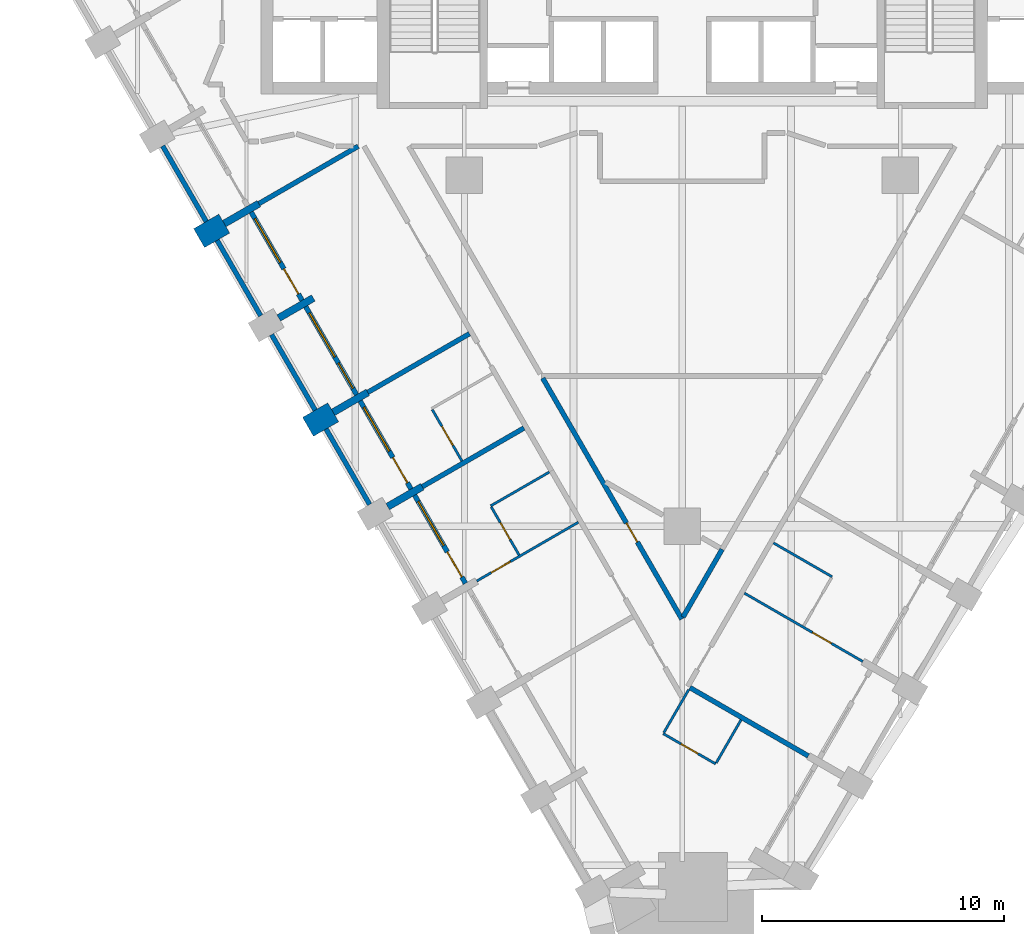
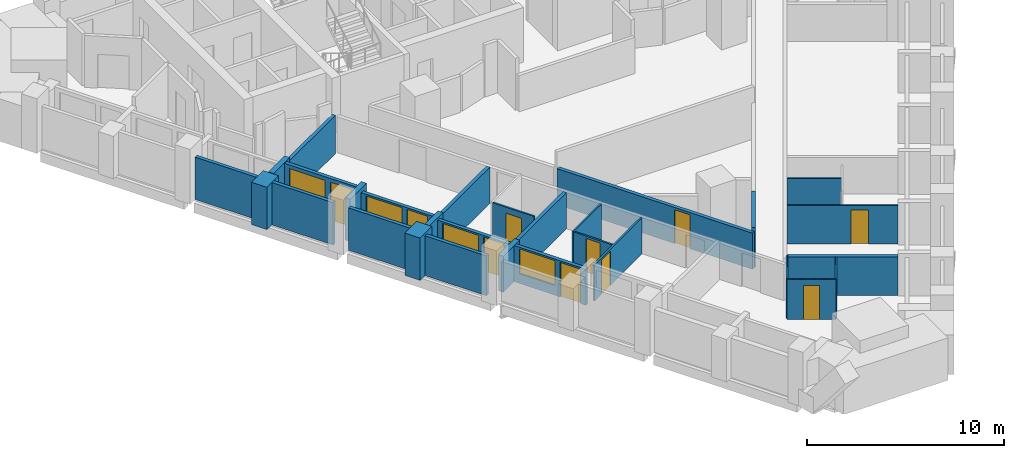
# One storey, part 3 of 11: 29 walls, 10 doors, 4 windows, 14 openings.
"""IFC4 building model written with IfcOpenShell, lengths in metres."""

from ifc_helpers import new_model, si_unit, direction, frame, frame_2d, origin, place, context, subcontext, project, spatial, rectangle, extrude, material, layer, layer_set, type_object, element, fill, save


model = new_model("IFC4")

# Units and contexts
model_context = context("Model", 3, precision=1e-05, world=origin(), true_north=direction((0.0, 1.0)))
body_context = subcontext(model_context, "Body", "Model", "MODEL_VIEW")
ifc_project = project(units=[si_unit("LENGTHUNIT", "METRE"), si_unit("AREAUNIT", "SQUARE_METRE"), si_unit("VOLUMEUNIT", "CUBIC_METRE"), si_unit("PLANEANGLEUNIT", "RADIAN"), si_unit("MASSUNIT", "GRAM", prefix="KILO")], contexts=[model_context])

# Site, building, storey
site_placement = place(None, origin())
site = spatial("IfcSite", under=ifc_project, at=site_placement, CompositionType="ELEMENT")
building_placement = place(site_placement, origin())
building = spatial("IfcBuilding", under=site, at=building_placement, Name="Calabash Gate Tower", CompositionType="ELEMENT")
storey_placement = place(building_placement, frame((0.0, 0.0, 129.199951171875)))
storey = spatial("IfcBuildingStorey", under=building, at=storey_placement, Name="L30", CompositionType="ELEMENT", Elevation=129.199951171875)

# Walls
ifc_material_1 = material(Name="Terracotta brick masonry, exposed face", Category="masonry")
ifc_layer_1 = layer(ifc_material_1, 1.199951171875)
ifc_layer_set_1 = layer_set([ifc_layer_1], Name="Brick end wall 1200")
wall_type_1 = type_object("IfcWallType", Name="Brick end wall 1200", PredefinedType="SOLIDWALL", material=ifc_layer_set_1)
wall_1_placement = place(storey_placement, frame((-19.957763671875, -0.096923828125, 0.0), z_axis=(0.0, 0.0, 1.0), x_axis=(0.865955154139, 0.50012165622, 0.0)))
element("IfcWall", 1, at=wall_1_placement, inside=storey, type_object=wall_type_1, Name="Brick pier S08 SW0.3", PredefinedType="SOLIDWALL", context=body_context, shape_type="SweptSolid", body=[
    extrude(rectangle(XDim=1.199951171875, YDim=0.89990234375, at=frame_2d((0.60009765625, 0.0))), origin(), (0.0, 0.0, 1.0), 2.630126953125),
])
wall_2_placement = place(storey_placement, frame((-15.457763671875, -7.89111328125, 0.0), z_axis=(0.0, 0.0, 1.0), x_axis=(0.866043267704, 0.499969057507, 0.0)))
element("IfcWall", 2, at=wall_2_placement, inside=storey, type_object=wall_type_1, Name="Brick pier S08 SW0.5", PredefinedType="SOLIDWALL", context=body_context, shape_type="SweptSolid", body=[
    extrude(rectangle(XDim=1.19970703125, YDim=0.89990234375, at=frame_2d((0.599853515625, 0.0))), origin(), (0.0, 0.0, 1.0), 2.630126953125),
])
ifc_material_2 = material(Name="Terracotta brick masonry, exposed face", Category="masonry")
ifc_layer_2 = layer(ifc_material_2, 0.300048828125)
ifc_layer_set_2 = layer_set([ifc_layer_2], Name="Brick loggia cheek wall 300")
wall_type_2 = type_object("IfcWallType", Name="Brick loggia cheek wall 300", PredefinedType="SOLIDWALL", material=ifc_layer_set_2)
wall_3_placement = place(storey_placement, frame((-18.918701171875, 0.503173828125, 0.0), z_axis=(0.0, 0.0, 1.0), x_axis=(0.866040211805, 0.499974350878, 0.0)))
element("IfcWall", 3, at=wall_3_placement, inside=storey, type_object=wall_type_2, Name="Loggia cheek S08 SW0.3", PredefinedType="SOLIDWALL", context=body_context, shape_type="SweptSolid", body=[
    extrude(rectangle(XDim=1.64990234375, YDim=0.300048828125, at=frame_2d((0.824951171875, 0.0))), origin(), (0.0, 0.0, 1.0), 2.650146484375),
])
wall_4_placement = place(storey_placement, frame((-16.66845703125, -3.39404296875, 0.0), z_axis=(0.0, 0.0, 1.0), x_axis=(0.866003217194, 0.500038426333, 0.0)))
element("IfcWall", 4, at=wall_4_placement, inside=storey, type_object=wall_type_2, Name="Loggia cheek S08 SW0.4", PredefinedType="SOLIDWALL", context=body_context, shape_type="SweptSolid", body=[
    extrude(rectangle(XDim=1.649658203125, YDim=0.300048828125, at=frame_2d((0.82470703125, 0.0))), origin(), (0.0, 0.0, 1.0), 2.6279296875),
])
wall_5_placement = place(storey_placement, frame((-14.418701171875, -7.291259765625, 0.0), z_axis=(0.0, 0.0, 1.0), x_axis=(0.865976140824, 0.500085316245, 0.0)))
element("IfcWall", 5, at=wall_5_placement, inside=storey, type_object=wall_type_2, Name="Loggia cheek S08 SW0.5", PredefinedType="SOLIDWALL", context=body_context, shape_type="SweptSolid", body=[
    extrude(rectangle(XDim=1.650146484375, YDim=0.300048828125, at=frame_2d((0.8251953125, 0.0))), origin(), (0.0, 0.0, 1.0), 2.384033203125),
])
wall_6_placement = place(storey_placement, frame((-12.168212890625, -11.188232421875, 0.0), z_axis=(0.0, 0.0, 1.0), x_axis=(0.865966208357, 0.500102515474, 0.0)))
element("IfcWall", 6, at=wall_6_placement, inside=storey, type_object=wall_type_2, Name="Loggia cheek S08 SW0.6", PredefinedType="SOLIDWALL", context=body_context, shape_type="SweptSolid", body=[
    extrude(rectangle(XDim=1.649658203125, YDim=0.300048828125, at=frame_2d((0.82470703125, 0.0))), origin(), (0.0, 0.0, 1.0), 2.24169921875),
])
ifc_material_3 = material(Name="Gypsum board on steel studs, mineral wool", Category="steel")
ifc_layer_3 = layer(ifc_material_3, 0.10009765625)
ifc_layer_set_3 = layer_set([ifc_layer_3], Name="Partition 100 gypsum board")
wall_type_3 = type_object("IfcWallType", Name="Partition 100 gypsum board", PredefinedType="PARTITIONING", material=ifc_layer_set_3)
wall_7_placement = place(storey_placement, frame((1.4052734375, -21.77197265625, 0.0), z_axis=(0.0, 0.0, 1.0), x_axis=(0.499265284884, 0.866449176415, 0.0)))
element("IfcWall", 7, at=wall_7_placement, inside=storey, type_object=wall_type_3, Name="Partition", PredefinedType="PARTITIONING", context=body_context, shape_type="SweptSolid", body=[
    extrude(rectangle(XDim=2.0498046875, YDim=0.10009765625, at=frame_2d((1.02490234375, 0.0))), origin(), (0.0, 0.0, 1.0), 2.384033203125),
])

# Wall, opening, door
wall_8_placement = place(storey_placement, frame((-0.784912109375, -20.565185546875, 0.0), z_axis=(0.0, 0.0, 1.0), x_axis=(0.866022959057, -0.500004234368, 0.0)))
wall_8 = element("IfcWall", 8, at=wall_8_placement, inside=storey, type_object=wall_type_3, Name="Partition", PredefinedType="PARTITIONING", context=body_context, shape_type="SweptSolid", body=[
    extrude(rectangle(XDim=2.5, YDim=0.10009765625, at=frame_2d((1.25, 0.0))), origin(), (0.0, 0.0, 1.0), 2.4736328125),
])
opening_1_placement = place(wall_8_placement, frame((0.85009765625, 0.0, 0.0)))
opening_1 = element("IfcOpeningElement", 9, at=opening_1_placement, cuts=wall_8, Name="Opening 28-30-015", PredefinedType="OPENING", context=body_context, shape_type="SweptSolid", body=[
    extrude(rectangle(XDim=0.800048828125, YDim=2.10009765625, at=frame_2d((0.39990234375, 1.050048828125))), frame((0.0, 0.06005859375, 0.0), z_axis=(0.0, -1.0, 0.0), x_axis=(1.0, 0.0, 0.0)), (0.0, 0.0, 1.0), 0.1201171875),
])
ifc_material_4 = material(Name="Painted timber door", Category="wood")
door_type_1 = type_object("IfcDoorType", Name="GD5 En-suite door 800x2100", OperationType="NOTDEFINED", PredefinedType="DOOR", material=ifc_material_4)
door_1_placement = place(opening_1_placement, origin())
door_1 = element("IfcDoor", 10, at=door_1_placement, inside=storey, type_object=door_type_1, Name="En-suite door", OperationType="SINGLE_SWING_LEFT", OverallHeight=2.10009765625, OverallWidth=0.800048828125, PredefinedType="DOOR", context=body_context, shape_type="SweptSolid", body=[
    extrude(rectangle(XDim=0.800048828125, YDim=2.10009765625, at=frame_2d((0.39990234375, 1.050048828125))), frame((0.0, 0.02490234375, 0.0), z_axis=(0.0, -1.0, 0.0), x_axis=(1.0, 0.0, 0.0)), (0.0, 0.0, 1.0), 0.050048828125),
])
fill(opening_1, door_1)

# Wall
wall_9_placement = place(storey_placement, frame((-0.759765625, -20.52197265625, 0.0), z_axis=(0.0, 0.0, 1.0), x_axis=(0.500646589026, 0.865651773461, 0.0)))
element("IfcWall", 11, at=wall_9_placement, inside=storey, type_object=wall_type_3, Name="Partition", PredefinedType="PARTITIONING", context=body_context, shape_type="SweptSolid", body=[
    extrude(rectangle(XDim=2.050048828125, YDim=0.10009765625, at=frame_2d((1.02490234375, 0.0))), origin(), (0.0, 0.0, 1.0), 2.4736328125),
])

# Wall, opening, door
wall_10_placement = place(storey_placement, frame((2.566162109375, -14.760498046875, 0.0), z_axis=(0.0, 0.0, 1.0), x_axis=(0.866019355129, -0.500010476433, 0.0)))
wall_10 = element("IfcWall", 12, at=wall_10_placement, inside=storey, type_object=wall_type_3, Name="Partition", PredefinedType="PARTITIONING", context=body_context, shape_type="SweptSolid", body=[
    extrude(rectangle(XDim=5.64990234375, YDim=0.10009765625, at=frame_2d((2.824951171875, 0.0))), origin(), (0.0, 0.0, 1.0), 2.384033203125),
])
opening_2_placement = place(wall_10_placement, frame((3.249755859375, 0.0, 0.0)))
opening_2 = element("IfcOpeningElement", 13, at=opening_2_placement, cuts=wall_10, Name="Opening 28-30-008", PredefinedType="OPENING", context=body_context, shape_type="SweptSolid", body=[
    extrude(rectangle(XDim=0.89990234375, YDim=2.10009765625, at=frame_2d((0.449951171875, 1.050048828125))), frame((0.0, 0.06005859375, 0.0), z_axis=(0.0, -1.0, 0.0), x_axis=(1.0, 0.0, 0.0)), (0.0, 0.0, 1.0), 0.1201171875),
])
ifc_material_5 = material(Name="Painted timber door", Category="wood")
door_type_2 = type_object("IfcDoorType", Name="GD7 Suite room door 900x2100", OperationType="NOTDEFINED", PredefinedType="DOOR", material=ifc_material_5)
door_2_placement = place(opening_2_placement, origin())
door_2 = element("IfcDoor", 14, at=door_2_placement, inside=storey, type_object=door_type_2, Name="Suite room door", OperationType="SINGLE_SWING_RIGHT", OverallHeight=2.10009765625, OverallWidth=0.89990234375, PredefinedType="DOOR", context=body_context, shape_type="SweptSolid", body=[
    extrude(rectangle(XDim=0.89990234375, YDim=2.10009765625, at=frame_2d((0.449951171875, 1.050048828125))), frame((0.0, 0.02490234375, 0.0), z_axis=(0.0, -1.0, 0.0), x_axis=(1.0, 0.0, 0.0)), (0.0, 0.0, 1.0), 0.050048828125),
])
fill(opening_2, door_2)

wall_11_placement = place(storey_placement, frame((-8.48974609375, -14.26025390625, 0.0), z_axis=(0.0, 0.0, 1.0), x_axis=(0.86557903767, 0.500772333047, 0.0)))
wall_11 = element("IfcWall", 15, at=wall_11_placement, inside=storey, type_object=wall_type_3, Name="Partition", PredefinedType="PARTITIONING", context=body_context, shape_type="SweptSolid", body=[
    extrude(rectangle(XDim=4.849853515625, YDim=0.10009765625, at=frame_2d((2.4248046875, 0.0))), origin(), (0.0, 0.0, 1.0), 2.24169921875),
])
opening_3_placement = place(wall_11_placement, frame((0.699951171875, 0.0, 0.0)))
opening_3 = element("IfcOpeningElement", 16, at=opening_3_placement, cuts=wall_11, Name="Opening 28-30-005", PredefinedType="OPENING", context=body_context, shape_type="SweptSolid", body=[
    extrude(rectangle(XDim=0.89990234375, YDim=2.10009765625, at=frame_2d((0.449951171875, 1.050048828125))), frame((0.0, 0.06005859375, 0.0), z_axis=(0.0, -1.0, 0.0), x_axis=(1.0, 0.0, 0.0)), (0.0, 0.0, 1.0), 0.1201171875),
])
door_3_placement = place(opening_3_placement, origin())
door_3 = element("IfcDoor", 17, at=door_3_placement, inside=storey, type_object=door_type_2, Name="Suite room door", OperationType="SINGLE_SWING_LEFT", OverallHeight=2.10009765625, OverallWidth=0.89990234375, PredefinedType="DOOR", context=body_context, shape_type="SweptSolid", body=[
    extrude(rectangle(XDim=0.89990234375, YDim=2.10009765625, at=frame_2d((0.449951171875, 1.050048828125))), frame((0.0, 0.02490234375, 0.0), z_axis=(0.0, -1.0, 0.0), x_axis=(1.0, 0.0, 0.0)), (0.0, 0.0, 1.0), 0.050048828125),
])
fill(opening_3, door_3)

# Wall
wall_12_placement = place(storey_placement, frame((3.764404296875, -12.685302734375, 0.0), z_axis=(0.0, 0.0, 1.0), x_axis=(0.866326367614, -0.499478352661, 0.0)))
element("IfcWall", 18, at=wall_12_placement, inside=storey, type_object=wall_type_3, Name="Partition", PredefinedType="PARTITIONING", context=body_context, shape_type="SweptSolid", body=[
    extrude(rectangle(XDim=2.7998046875, YDim=0.10009765625, at=frame_2d((1.39990234375, 0.0))), origin(), (0.0, 0.0, 1.0), 2.384033203125),
])

# Wall, opening, door
wall_13_placement = place(storey_placement, frame((-7.889404296875, -11.2001953125, 0.0), z_axis=(0.0, 0.0, 1.0), x_axis=(0.500697021662, -0.865622603967, 0.0)))
wall_13 = element("IfcWall", 19, at=wall_13_placement, inside=storey, type_object=wall_type_3, Name="Partition", PredefinedType="PARTITIONING", context=body_context, shape_type="SweptSolid", body=[
    extrude(rectangle(XDim=2.298095703125, YDim=0.10009765625, at=frame_2d((1.14892578125, 0.0))), origin(), (0.0, 0.0, 1.0), 2.24169921875),
])
opening_4_placement = place(wall_13_placement, frame((0.75, 0.0, 0.0)))
opening_4 = element("IfcOpeningElement", 20, at=opening_4_placement, cuts=wall_13, Name="Opening 28-30-006", PredefinedType="OPENING", context=body_context, shape_type="SweptSolid", body=[
    extrude(rectangle(XDim=0.800048828125, YDim=2.10009765625, at=frame_2d((0.39990234375, 1.050048828125))), frame((0.0, 0.06005859375, 0.0), z_axis=(0.0, -1.0, 0.0), x_axis=(1.0, 0.0, 0.0)), (0.0, 0.0, 1.0), 0.1201171875),
])
door_4_placement = place(opening_4_placement, origin())
door_4 = element("IfcDoor", 21, at=door_4_placement, inside=storey, type_object=door_type_1, Name="En-suite door", OperationType="SINGLE_SWING_LEFT", OverallHeight=2.10009765625, OverallWidth=0.800048828125, PredefinedType="DOOR", context=body_context, shape_type="SweptSolid", body=[
    extrude(rectangle(XDim=0.800048828125, YDim=2.10009765625, at=frame_2d((0.39990234375, 1.050048828125))), frame((0.0, 0.02490234375, 0.0), z_axis=(0.0, -1.0, 0.0), x_axis=(1.0, 0.0, 0.0)), (0.0, 0.0, 1.0), 0.050048828125),
])
fill(opening_4, door_4)

# Wall
wall_14_placement = place(storey_placement, frame((-7.914306640625, -11.156982421875, 0.0), z_axis=(0.0, 0.0, 1.0), x_axis=(0.866288634608, 0.499543793424, 0.0)))
element("IfcWall", 22, at=wall_14_placement, inside=storey, type_object=wall_type_3, Name="Partition", PredefinedType="PARTITIONING", context=body_context, shape_type="SweptSolid", body=[
    extrude(rectangle(XDim=2.7998046875, YDim=0.10009765625, at=frame_2d((1.39990234375, 0.0))), origin(), (0.0, 0.0, 1.0), 2.24169921875),
])

# Wall, opening, door
wall_15_placement = place(storey_placement, frame((-10.325927734375, -7.179931640625, 0.0), z_axis=(0.0, 0.0, 1.0), x_axis=(0.500018594424, -0.866014668023, 0.0)))
wall_15 = element("IfcWall", 23, at=wall_15_placement, inside=storey, type_object=wall_type_3, Name="Partition", PredefinedType="PARTITIONING", context=body_context, shape_type="SweptSolid", body=[
    extrude(rectangle(XDim=2.4501953125, YDim=0.10009765625, at=frame_2d((1.22509765625, 0.0))), origin(), (0.0, 0.0, 1.0), 2.4736328125),
])
opening_5_placement = place(wall_15_placement, frame((0.800048828125, 0.0, 0.0)))
opening_5 = element("IfcOpeningElement", 24, at=opening_5_placement, cuts=wall_15, Name="Opening 28-30-003", PredefinedType="OPENING", context=body_context, shape_type="SweptSolid", body=[
    extrude(rectangle(XDim=0.89990234375, YDim=2.10009765625, at=frame_2d((0.449951171875, 1.050048828125))), frame((0.0, 0.06005859375, 0.0), z_axis=(0.0, -1.0, 0.0), x_axis=(1.0, 0.0, 0.0)), (0.0, 0.0, 1.0), 0.1201171875),
])
ifc_material_6 = material(Name="Painted timber door", Category="wood")
door_type_3 = type_object("IfcDoorType", Name="GD6 Accessible en-suite door 900x2100", OperationType="NOTDEFINED", PredefinedType="DOOR", material=ifc_material_6)
door_5_placement = place(opening_5_placement, origin())
door_5 = element("IfcDoor", 25, at=door_5_placement, inside=storey, type_object=door_type_3, Name="Accessible en-suite door", OperationType="SINGLE_SWING_LEFT", OverallHeight=2.10009765625, OverallWidth=0.89990234375, PredefinedType="DOOR", context=body_context, shape_type="SweptSolid", body=[
    extrude(rectangle(XDim=0.89990234375, YDim=2.10009765625, at=frame_2d((0.449951171875, 1.050048828125))), frame((0.0, 0.02490234375, 0.0), z_axis=(0.0, -1.0, 0.0), x_axis=(1.0, 0.0, 0.0)), (0.0, 0.0, 1.0), 0.050048828125),
])
fill(opening_5, door_5)

# Walls
ifc_material_7 = material(Name="Gypsum board on steel studs, mineral wool", Category="steel")
ifc_layer_4 = layer(ifc_material_7, 0.199951171875)
ifc_layer_set_4 = layer_set([ifc_layer_4], Name="Partition 200 gypsum board EI 60")
wall_type_4 = type_object("IfcWallType", Name="Partition 200 gypsum board EI 60", PredefinedType="PARTITIONING", material=ifc_layer_set_4)
wall_16_placement = place(storey_placement, frame((0.314453125, -18.661376953125, 0.0), z_axis=(0.0, 0.0, 1.0), x_axis=(0.866027263711, -0.4999967785, 0.0)))
element("IfcWall", 26, at=wall_16_placement, inside=storey, type_object=wall_type_4, Name="Partition", PredefinedType="PARTITIONING", context=body_context, shape_type="SweptSolid", body=[
    extrude(rectangle(XDim=5.6494140625, YDim=0.199951171875, at=frame_2d((2.82470703125, 0.0))), origin(), (0.0, 0.0, 1.0), 2.384033203125),
])
wall_17_placement = place(storey_placement, frame((0.03271484375, -15.747802734375, 0.0), z_axis=(0.0, 0.0, 1.0), x_axis=(0.50002566634, 0.866010584809, 0.0)))
element("IfcWall", 27, at=wall_17_placement, inside=storey, type_object=wall_type_4, Name="Partition", PredefinedType="PARTITIONING", context=body_context, shape_type="SweptSolid", body=[
    extrude(rectangle(XDim=3.229248046875, YDim=0.199951171875, at=frame_2d((1.61474609375, 0.0))), origin(), (0.0, 0.0, 1.0), 2.4736328125),
])
wall_18_placement = place(storey_placement, frame((-10.739501953125, -10.36328125, 0.0), z_axis=(0.0, 0.0, 1.0), x_axis=(0.866231677814, 0.499642552583, 0.0)))
element("IfcWall", 28, at=wall_18_placement, inside=storey, type_object=wall_type_4, Name="Partition", PredefinedType="PARTITIONING", context=body_context, shape_type="SweptSolid", body=[
    extrude(rectangle(XDim=4.849609375, YDim=0.199951171875, at=frame_2d((2.4248046875, 0.0))), origin(), (0.0, 0.0, 1.0), 2.24169921875),
])

# Wall, opening, door
wall_19_placement = place(storey_placement, frame((-5.7626953125, -5.8798828125, 0.0), z_axis=(0.0, 0.0, 1.0), x_axis=(0.500006842847, -0.866021453029, 0.0)))
wall_19 = element("IfcWall", 29, at=wall_19_placement, inside=storey, type_object=wall_type_4, Name="Partition", PredefinedType="PARTITIONING", context=body_context, shape_type="SweptSolid", body=[
    extrude(rectangle(XDim=11.493408203125, YDim=0.199951171875, at=frame_2d((5.74658203125, 0.0))), origin(), (0.0, 0.0, 1.0), 2.24169921875),
])
opening_6_placement = place(wall_19_placement, frame((6.914306640625, 0.0, 0.0)))
opening_6 = element("IfcOpeningElement", 30, at=opening_6_placement, cuts=wall_19, Name="Opening 28-30-012", PredefinedType="OPENING", context=body_context, shape_type="SweptSolid", body=[
    extrude(rectangle(XDim=0.89990234375, YDim=2.10009765625, at=frame_2d((0.449951171875, 1.050048828125))), frame((0.0, 0.10986328125, 0.0), z_axis=(0.0, -1.0, 0.0), x_axis=(1.0, 0.0, 0.0)), (0.0, 0.0, 1.0), 0.219970703125),
])
ifc_material_8 = material(Name="Steel fire door set with fire-resisting glazing", Category="steel")
door_type_4 = type_object("IfcDoorType", Name="SD3 Store door 900x2100", OperationType="NOTDEFINED", PredefinedType="DOOR", material=ifc_material_8)
door_6_placement = place(opening_6_placement, origin())
door_6 = element("IfcDoor", 31, at=door_6_placement, inside=storey, type_object=door_type_4, Name="Store door", OperationType="SINGLE_SWING_RIGHT", OverallHeight=2.10009765625, OverallWidth=0.89990234375, PredefinedType="DOOR", context=body_context, shape_type="SweptSolid", body=[
    extrude(rectangle(XDim=0.89990234375, YDim=2.10009765625, at=frame_2d((0.449951171875, 1.050048828125))), frame((0.0, 0.02490234375, 0.0), z_axis=(0.0, -1.0, 0.0), x_axis=(1.0, 0.0, 0.0)), (0.0, 0.0, 1.0), 0.050048828125),
])
fill(opening_6, door_6)

# Walls
wall_20_placement = place(storey_placement, frame((-12.989501953125, -6.46630859375, 0.0), z_axis=(0.0, 0.0, 1.0), x_axis=(0.866209889287, 0.49968032551, 0.0)))
element("IfcWall", 32, at=wall_20_placement, inside=storey, type_object=wall_type_4, Name="Partition", PredefinedType="PARTITIONING", context=body_context, shape_type="SweptSolid", body=[
    extrude(rectangle(XDim=4.849853515625, YDim=0.199951171875, at=frame_2d((2.4248046875, 0.0))), origin(), (0.0, 0.0, 1.0), 2.24169921875),
])
wall_21_placement = place(storey_placement, frame((-17.489990234375, 1.32861328125, 0.0), z_axis=(0.0, 0.0, 1.0), x_axis=(0.865884411482, 0.500244126355, 0.0)))
element("IfcWall", 33, at=wall_21_placement, inside=storey, type_object=wall_type_4, Name="Partition", PredefinedType="PARTITIONING", context=body_context, shape_type="SweptSolid", body=[
    extrude(rectangle(XDim=4.739501953125, YDim=0.199951171875, at=frame_2d((2.36962890625, 0.0))), origin(), (0.0, 0.0, 1.0), 2.384033203125),
])
ifc_material_9 = material(Name="Terracotta brick masonry, perforated", Category="masonry")
ifc_layer_5 = layer(ifc_material_9, 0.199951171875)
ifc_layer_set_5 = layer_set([ifc_layer_5], Name="Terracotta jaali screen B")
wall_type_5 = type_object("IfcWallType", Name="Terracotta jaali screen B", PredefinedType="SOLIDWALL", material=ifc_layer_set_5)
wall_22_placement = place(storey_placement, frame((-21.463134765625, 3.71044921875, 0.0), z_axis=(0.0, 0.0, 1.0), x_axis=(0.500012057535, -0.866018442252, 0.0)))
element("IfcWall", 34, at=wall_22_placement, inside=storey, type_object=wall_type_5, Name="SCREEN B S08 SW0.3", PredefinedType="SOLIDWALL", context=body_context, shape_type="SweptSolid", body=[
    extrude(rectangle(XDim=3.60009765625, YDim=0.199951171875, at=frame_2d((1.800048828125, 0.0))), origin(), (0.0, 0.0, 1.0), 2.630126953125),
])
wall_23_placement = place(storey_placement, frame((-19.213134765625, -0.1865234375, 0.0), z_axis=(0.0, 0.0, 1.0), x_axis=(0.499982693035, -0.866035395735, 0.0)))
element("IfcWall", 35, at=wall_23_placement, inside=storey, type_object=wall_type_5, Name="SCREEN B S08 SW0.4", PredefinedType="SOLIDWALL", context=body_context, shape_type="SweptSolid", body=[
    extrude(rectangle(XDim=3.600341796875, YDim=0.199951171875, at=frame_2d((1.80029296875, 0.0))), origin(), (0.0, 0.0, 1.0), 2.630126953125),
])
wall_24_placement = place(storey_placement, frame((-16.963134765625, -4.083740234375, 0.0), z_axis=(0.0, 0.0, 1.0), x_axis=(0.500012057535, -0.866018442252, 0.0)))
element("IfcWall", 36, at=wall_24_placement, inside=storey, type_object=wall_type_5, Name="SCREEN B S08 SW0.5", PredefinedType="SOLIDWALL", context=body_context, shape_type="SweptSolid", body=[
    extrude(rectangle(XDim=3.60009765625, YDim=0.199951171875, at=frame_2d((1.800048828125, 0.0))), origin(), (0.0, 0.0, 1.0), 2.630126953125),
])
wall_25_placement = place(storey_placement, frame((-14.713134765625, -7.98095703125, 0.0), z_axis=(0.0, 0.0, 1.0), x_axis=(0.500012057535, -0.866018442252, 0.0)))
element("IfcWall", 37, at=wall_25_placement, inside=storey, type_object=wall_type_5, Name="SCREEN B S08 SW0.6", PredefinedType="SOLIDWALL", context=body_context, shape_type="SweptSolid", body=[
    extrude(rectangle(XDim=3.60009765625, YDim=0.199951171875, at=frame_2d((1.800048828125, 0.0))), origin(), (0.0, 0.0, 1.0), 2.4736328125),
])

# Wall, openings, door, window
ifc_material_10 = material(Name="Aluminium framed window wall with insulated spandrel", Category="aluminium")
ifc_layer_6 = layer(ifc_material_10, 0.199951171875)
ifc_layer_set_6 = layer_set([ifc_layer_6], Name="Window wall 200")
wall_type_6 = type_object("IfcWallType", Name="Window wall 200", PredefinedType="ELEMENTEDWALL", material=ifc_layer_set_6)
wall_26_placement = place(storey_placement, frame((-17.804443359375, 0.97314453125, 0.0), z_axis=(0.0, 0.0, 1.0), x_axis=(0.500027713859, -0.866009402589, 0.0)))
wall_26 = element("IfcWall", 38, at=wall_26_placement, inside=storey, type_object=wall_type_6, Name="Window wall S08 SW0.4", PredefinedType="ELEMENTEDWALL", context=body_context, shape_type="SweptSolid", body=[
    extrude(rectangle(XDim=4.199951171875, YDim=0.199951171875, at=frame_2d((2.10009765625, 0.0))), origin(), (0.0, 0.0, 1.0), 2.6279296875),
])
opening_7_placement = place(wall_26_placement, frame((0.300048828125, 0.0, 0.60009765625)))
opening_7 = element("IfcOpeningElement", 39, at=opening_7_placement, cuts=wall_26, Name="Opening HW1", PredefinedType="OPENING", context=body_context, shape_type="SweptSolid", body=[
    extrude(rectangle(XDim=2.10009765625, YDim=1.800048828125, at=frame_2d((1.050048828125, 0.89990234375))), frame((0.0, 0.10986328125, 0.0), z_axis=(0.0, -1.0, 0.0), x_axis=(1.0, 0.0, 0.0)), (0.0, 0.0, 1.0), 0.219970703125),
])
opening_8_placement = place(wall_26_placement, frame((2.699951171875, 0.0, 0.0)))
opening_8 = element("IfcOpeningElement", 40, at=opening_8_placement, cuts=wall_26, Name="Opening H8-029", PredefinedType="OPENING", context=body_context, shape_type="SweptSolid", body=[
    extrude(rectangle(XDim=1.199951171875, YDim=2.39990234375, at=frame_2d((0.60009765625, 1.199951171875))), frame((0.0, 0.10986328125, 0.0), z_axis=(0.0, -1.0, 0.0), x_axis=(1.0, 0.0, 0.0)), (0.0, 0.0, 1.0), 0.219970703125),
])
ifc_material_11 = material(Name="Anodised aluminium frame, bronze finish, impact-rated laminated clear glazing", Category="aluminium")
door_type_5 = type_object("IfcDoorType", Name="Loggia door DH1 1200x2400", OperationType="SLIDING_TO_LEFT", PredefinedType="DOOR", material=ifc_material_11)
door_7_placement = place(opening_8_placement, origin())
door_7 = element("IfcDoor", 41, at=door_7_placement, inside=storey, type_object=door_type_5, Name="Loggia door S08 SW0.4", OperationType="SINGLE_SWING_LEFT", OverallHeight=2.39990234375, OverallWidth=1.199951171875, PredefinedType="DOOR", context=body_context, shape_type="SweptSolid", body=[
    extrude(rectangle(XDim=1.199951171875, YDim=2.39990234375, at=frame_2d((0.60009765625, 1.199951171875))), frame((0.0, 0.02490234375, 0.0), z_axis=(0.0, -1.0, 0.0), x_axis=(1.0, 0.0, 0.0)), (0.0, 0.0, 1.0), 0.050048828125),
])
fill(opening_8, door_7)
ifc_material_12 = material(Name="Anodised aluminium frame, bronze finish, impact-rated laminated clear glazing", Category="aluminium")
window_type_1 = type_object("IfcWindowType", Name="Window HW1 2100x1800", PartitioningType="DOUBLE_PANEL_VERTICAL", PredefinedType="WINDOW", material=ifc_material_12)
window_1_placement = place(opening_7_placement, origin())
window_1 = element("IfcWindow", 42, at=window_1_placement, inside=storey, type_object=window_type_1, Name="Window HW1 S08 SW0.4", OverallHeight=1.800048828125, OverallWidth=2.10009765625, PartitioningType="SINGLE_PANEL", PredefinedType="WINDOW", context=body_context, shape_type="SweptSolid", body=[
    extrude(rectangle(XDim=2.10009765625, YDim=1.800048828125, at=frame_2d((1.050048828125, 0.89990234375))), frame((0.0, 0.030029296875, 0.0), z_axis=(0.0, -1.0, 0.0), x_axis=(1.0, 0.0, 0.0)), (0.0, 0.0, 1.0), 0.06005859375),
])
fill(opening_7, window_1)

wall_27_placement = place(storey_placement, frame((-15.554443359375, -2.923828125, 0.0), z_axis=(0.0, 0.0, 1.0), x_axis=(0.500002543286, -0.866023935413, 0.0)))
wall_27 = element("IfcWall", 43, at=wall_27_placement, inside=storey, type_object=wall_type_6, Name="Window wall S08 SW0.5", PredefinedType="ELEMENTEDWALL", context=body_context, shape_type="SweptSolid", body=[
    extrude(rectangle(XDim=4.2001953125, YDim=0.199951171875, at=frame_2d((2.10009765625, 0.0))), origin(), (0.0, 0.0, 1.0), 2.384033203125),
])
opening_9_placement = place(wall_27_placement, frame((0.300048828125, 0.0, 0.60009765625)))
opening_9 = element("IfcOpeningElement", 44, at=opening_9_placement, cuts=wall_27, Name="Opening HW1L-1680", PredefinedType="OPENING", context=body_context, shape_type="SweptSolid", body=[
    extrude(rectangle(XDim=2.10009765625, YDim=1.679931640625, at=frame_2d((1.050048828125, 0.83984375))), frame((0.0, 0.10986328125, 0.0), z_axis=(0.0, -1.0, 0.0), x_axis=(1.0, 0.0, 0.0)), (0.0, 0.0, 1.0), 0.219970703125),
])
opening_10_placement = place(wall_27_placement, frame((2.699951171875, 0.0, 0.0)))
opening_10 = element("IfcOpeningElement", 45, at=opening_10_placement, cuts=wall_27, Name="Opening H8-030", PredefinedType="OPENING", context=body_context, shape_type="SweptSolid", body=[
    extrude(rectangle(XDim=1.199951171875, YDim=2.280029296875, at=frame_2d((0.60009765625, 1.14013671875))), frame((0.0, 0.10986328125, 0.0), z_axis=(0.0, -1.0, 0.0), x_axis=(1.0, 0.0, 0.0)), (0.0, 0.0, 1.0), 0.219970703125),
])
ifc_material_13 = material(Name="Anodised aluminium frame, bronze finish, impact-rated laminated clear glazing", Category="aluminium")
door_type_6 = type_object("IfcDoorType", Name="Loggia door DH1L-2280 1200x2280", OperationType="SLIDING_TO_LEFT", PredefinedType="DOOR", material=ifc_material_13)
door_8_placement = place(opening_10_placement, origin())
door_8 = element("IfcDoor", 46, at=door_8_placement, inside=storey, type_object=door_type_6, Name="Loggia door S08 SW0.5", OperationType="SINGLE_SWING_LEFT", OverallHeight=2.280029296875, OverallWidth=1.199951171875, PredefinedType="DOOR", context=body_context, shape_type="SweptSolid", body=[
    extrude(rectangle(XDim=1.199951171875, YDim=2.280029296875, at=frame_2d((0.60009765625, 1.14013671875))), frame((0.0, 0.02490234375, 0.0), z_axis=(0.0, -1.0, 0.0), x_axis=(1.0, 0.0, 0.0)), (0.0, 0.0, 1.0), 0.050048828125),
])
fill(opening_10, door_8)
ifc_material_14 = material(Name="Anodised aluminium frame, bronze finish, impact-rated laminated clear glazing", Category="aluminium")
window_type_2 = type_object("IfcWindowType", Name="Window HW1L 2100x1680", PartitioningType="DOUBLE_PANEL_VERTICAL", PredefinedType="WINDOW", material=ifc_material_14)
window_2_placement = place(opening_9_placement, origin())
window_2 = element("IfcWindow", 47, at=window_2_placement, inside=storey, type_object=window_type_2, Name="Window HW1 S08 SW0.5", OverallHeight=1.679931640625, OverallWidth=2.10009765625, PartitioningType="SINGLE_PANEL", PredefinedType="WINDOW", context=body_context, shape_type="SweptSolid", body=[
    extrude(rectangle(XDim=2.10009765625, YDim=1.679931640625, at=frame_2d((1.050048828125, 0.83984375))), frame((0.0, 0.030029296875, 0.0), z_axis=(0.0, -1.0, 0.0), x_axis=(1.0, 0.0, 0.0)), (0.0, 0.0, 1.0), 0.06005859375),
])
fill(opening_9, window_2)

wall_28_placement = place(storey_placement, frame((-13.304443359375, -6.821044921875, 0.0), z_axis=(0.0, 0.0, 1.0), x_axis=(0.500027713859, -0.866009402589, 0.0)))
wall_28 = element("IfcWall", 48, at=wall_28_placement, inside=storey, type_object=wall_type_6, Name="Window wall S08 SW0.6", PredefinedType="ELEMENTEDWALL", context=body_context, shape_type="SweptSolid", body=[
    extrude(rectangle(XDim=4.199951171875, YDim=0.199951171875, at=frame_2d((2.10009765625, 0.0))), origin(), (0.0, 0.0, 1.0), 2.24169921875),
])
opening_11_placement = place(wall_28_placement, frame((0.300048828125, 0.0, 0.60009765625)))
opening_11 = element("IfcOpeningElement", 49, at=opening_11_placement, cuts=wall_28, Name="Opening HW1L-1540", PredefinedType="OPENING", context=body_context, shape_type="SweptSolid", body=[
    extrude(rectangle(XDim=2.10009765625, YDim=1.5400390625, at=frame_2d((1.050048828125, 0.77001953125))), frame((0.0, 0.10986328125, 0.0), z_axis=(0.0, -1.0, 0.0), x_axis=(1.0, 0.0, 0.0)), (0.0, 0.0, 1.0), 0.219970703125),
])
opening_12_placement = place(wall_28_placement, frame((2.699951171875, 0.0, 0.0)))
opening_12 = element("IfcOpeningElement", 50, at=opening_12_placement, cuts=wall_28, Name="Opening H8-031", PredefinedType="OPENING", context=body_context, shape_type="SweptSolid", body=[
    extrude(rectangle(XDim=1.199951171875, YDim=2.139892578125, at=frame_2d((0.60009765625, 1.06982421875))), frame((0.0, 0.10986328125, 0.0), z_axis=(0.0, -1.0, 0.0), x_axis=(1.0, 0.0, 0.0)), (0.0, 0.0, 1.0), 0.219970703125),
])
ifc_material_15 = material(Name="Anodised aluminium frame, bronze finish, impact-rated laminated clear glazing", Category="aluminium")
door_type_7 = type_object("IfcDoorType", Name="Loggia door DH1L-2140 1200x2140", OperationType="SLIDING_TO_LEFT", PredefinedType="DOOR", material=ifc_material_15)
door_9_placement = place(opening_12_placement, origin())
door_9 = element("IfcDoor", 51, at=door_9_placement, inside=storey, type_object=door_type_7, Name="Loggia door S08 SW0.6", OperationType="SINGLE_SWING_LEFT", OverallHeight=2.139892578125, OverallWidth=1.199951171875, PredefinedType="DOOR", context=body_context, shape_type="SweptSolid", body=[
    extrude(rectangle(XDim=1.199951171875, YDim=2.139892578125, at=frame_2d((0.60009765625, 1.06982421875))), frame((0.0, 0.02490234375, 0.0), z_axis=(0.0, -1.0, 0.0), x_axis=(1.0, 0.0, 0.0)), (0.0, 0.0, 1.0), 0.050048828125),
])
fill(opening_12, door_9)
ifc_material_16 = material(Name="Anodised aluminium frame, bronze finish, impact-rated laminated clear glazing", Category="aluminium")
window_type_3 = type_object("IfcWindowType", Name="Window HW1L 2100x1540", PartitioningType="DOUBLE_PANEL_VERTICAL", PredefinedType="WINDOW", material=ifc_material_16)
window_3_placement = place(opening_11_placement, origin())
window_3 = element("IfcWindow", 52, at=window_3_placement, inside=storey, type_object=window_type_3, Name="Window HW1 S08 SW0.6", OverallHeight=1.5400390625, OverallWidth=2.10009765625, PartitioningType="SINGLE_PANEL", PredefinedType="WINDOW", context=body_context, shape_type="SweptSolid", body=[
    extrude(rectangle(XDim=2.10009765625, YDim=1.5400390625, at=frame_2d((1.050048828125, 0.77001953125))), frame((0.0, 0.030029296875, 0.0), z_axis=(0.0, -1.0, 0.0), x_axis=(1.0, 0.0, 0.0)), (0.0, 0.0, 1.0), 0.06005859375),
])
fill(opening_11, window_3)

wall_29_placement = place(storey_placement, frame((-11.054443359375, -10.71826171875, 0.0), z_axis=(0.0, 0.0, 1.0), x_axis=(0.500027713859, -0.866009402589, 0.0)))
wall_29 = element("IfcWall", 53, at=wall_29_placement, inside=storey, type_object=wall_type_6, Name="Window wall S08 SW0.7", PredefinedType="ELEMENTEDWALL", context=body_context, shape_type="SweptSolid", body=[
    extrude(rectangle(XDim=4.199951171875, YDim=0.199951171875, at=frame_2d((2.10009765625, 0.0))), origin(), (0.0, 0.0, 1.0), 2.24169921875),
])
opening_13_placement = place(wall_29_placement, frame((0.300048828125, 0.0, 0.60009765625)))
opening_13 = element("IfcOpeningElement", 54, at=opening_13_placement, cuts=wall_29, Name="Opening HW1L-1540", PredefinedType="OPENING", context=body_context, shape_type="SweptSolid", body=[
    extrude(rectangle(XDim=2.10009765625, YDim=1.5400390625, at=frame_2d((1.050048828125, 0.77001953125))), frame((0.0, 0.10986328125, 0.0), z_axis=(0.0, -1.0, 0.0), x_axis=(1.0, 0.0, 0.0)), (0.0, 0.0, 1.0), 0.219970703125),
])
opening_14_placement = place(wall_29_placement, frame((2.699951171875, 0.0, 0.0)))
opening_14 = element("IfcOpeningElement", 55, at=opening_14_placement, cuts=wall_29, Name="Opening H8-032", PredefinedType="OPENING", context=body_context, shape_type="SweptSolid", body=[
    extrude(rectangle(XDim=1.199951171875, YDim=2.139892578125, at=frame_2d((0.60009765625, 1.06982421875))), frame((0.0, 0.10986328125, 0.0), z_axis=(0.0, -1.0, 0.0), x_axis=(1.0, 0.0, 0.0)), (0.0, 0.0, 1.0), 0.219970703125),
])
door_10_placement = place(opening_14_placement, origin())
door_10 = element("IfcDoor", 56, at=door_10_placement, inside=storey, type_object=door_type_7, Name="Loggia door S08 SW0.7", OperationType="SINGLE_SWING_LEFT", OverallHeight=2.139892578125, OverallWidth=1.199951171875, PredefinedType="DOOR", context=body_context, shape_type="SweptSolid", body=[
    extrude(rectangle(XDim=1.199951171875, YDim=2.139892578125, at=frame_2d((0.60009765625, 1.06982421875))), frame((0.0, 0.02490234375, 0.0), z_axis=(0.0, -1.0, 0.0), x_axis=(1.0, 0.0, 0.0)), (0.0, 0.0, 1.0), 0.050048828125),
])
fill(opening_14, door_10)
window_4_placement = place(opening_13_placement, origin())
window_4 = element("IfcWindow", 57, at=window_4_placement, inside=storey, type_object=window_type_3, Name="Window HW1 S08 SW0.7", OverallHeight=1.5400390625, OverallWidth=2.10009765625, PartitioningType="SINGLE_PANEL", PredefinedType="WINDOW", context=body_context, shape_type="SweptSolid", body=[
    extrude(rectangle(XDim=2.10009765625, YDim=1.5400390625, at=frame_2d((1.050048828125, 0.77001953125))), frame((0.0, 0.030029296875, 0.0), z_axis=(0.0, -1.0, 0.0), x_axis=(1.0, 0.0, 0.0)), (0.0, 0.0, 1.0), 0.06005859375),
])
fill(opening_13, window_4)

save(model, "model.ifc")
